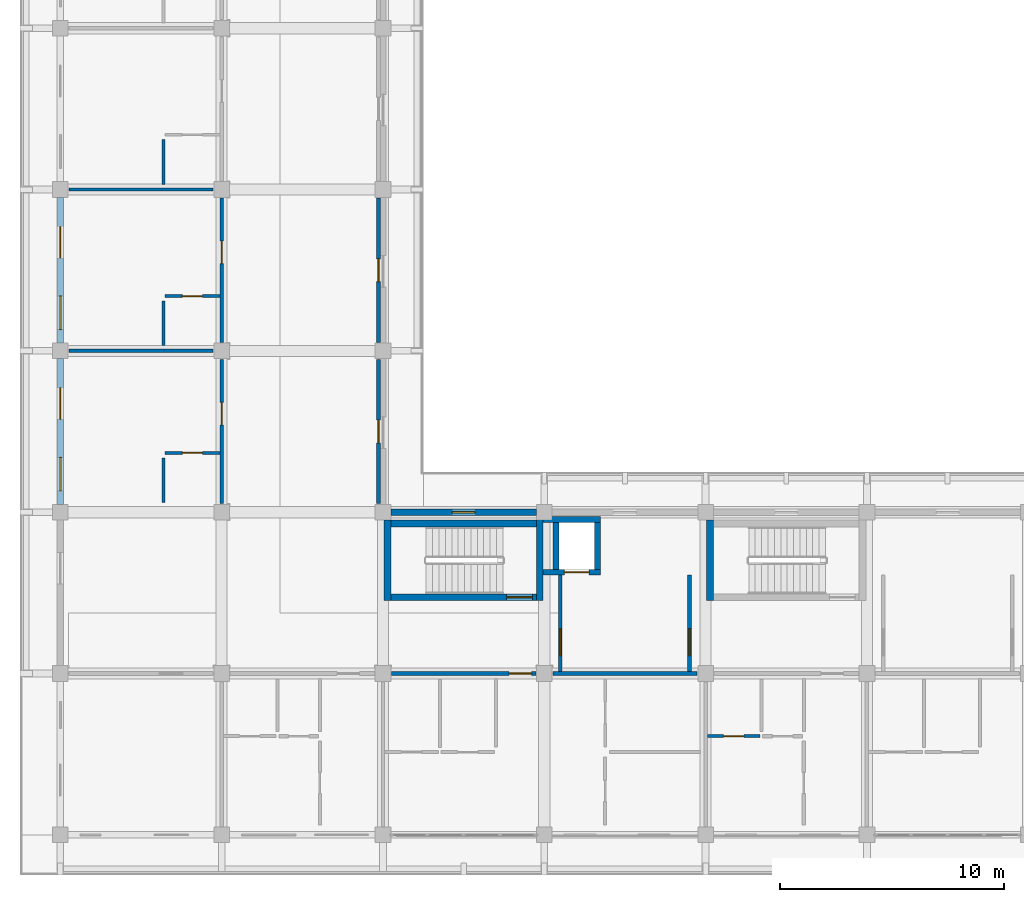
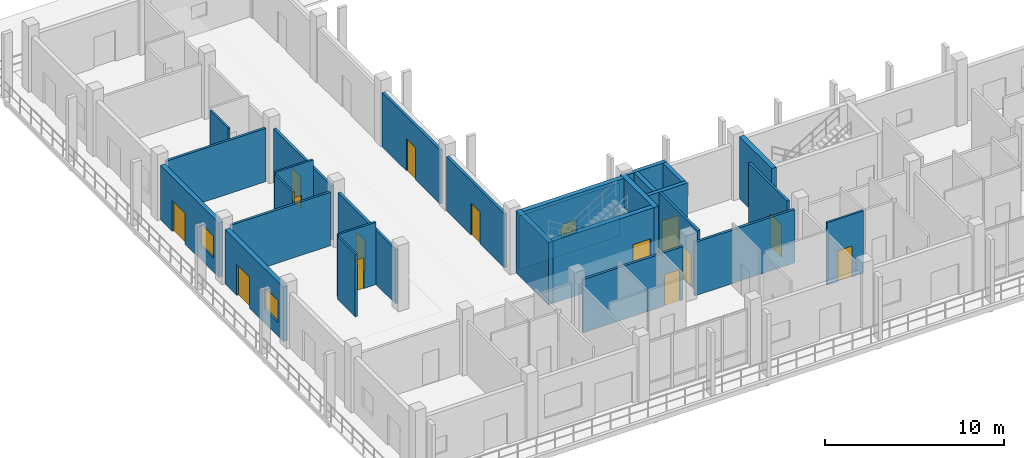
# One storey, part 65 of 110: 28 walls, 14 doors, 3 windows, 17 openings.
"""IFC4 building model written with IfcOpenShell, lengths in metres."""

from ifc_helpers import new_model, si_unit, direction, frame, frame_2d, origin, place, context, subcontext, project, spatial, rectangle, extrude, material, layer, layer_set, type_object, element, fill, save


model = new_model("IFC4")

# Units and contexts
model_context = context("Model", 3, precision=1e-05, world=origin(), true_north=direction((0.0, 1.0)))
body_context = subcontext(model_context, "Body", "Model", "MODEL_VIEW")
ifc_project = project(units=[si_unit("LENGTHUNIT", "METRE"), si_unit("AREAUNIT", "SQUARE_METRE"), si_unit("VOLUMEUNIT", "CUBIC_METRE"), si_unit("PLANEANGLEUNIT", "RADIAN"), si_unit("MASSUNIT", "GRAM", prefix="KILO")], contexts=[model_context])

# Site, building, storey
site_placement = place(None, origin())
site = spatial("IfcSite", under=ifc_project, at=site_placement, CompositionType="ELEMENT")
building_placement = place(site_placement, origin())
building = spatial("IfcBuilding", under=site, at=building_placement, Name="Suanplinth Sawtooth Commons", CompositionType="ELEMENT")
storey_placement = place(building_placement, frame((0.0, 0.0, 4.5)))
storey = spatial("IfcBuildingStorey", under=building, at=storey_placement, Name="L01", CompositionType="ELEMENT", Elevation=4.5)

# Wall, opening, door
ifc_material_1 = material(Name="Concrete C40/50", Category="concrete")
ifc_layer_1 = layer(ifc_material_1, 0.300048828125, Name="Standard RC stair and lift core wall 300mm")
ifc_layer_set_1 = layer_set([ifc_layer_1], Name="Concrete C40/50")
wall_type_1 = type_object("IfcWallType", Name="W-CR02", PredefinedType="SHEAR", material=ifc_layer_set_1)
wall_1_placement = place(storey_placement, frame((14.75, 10.60009765625, 0.0), z_axis=(0.0, 0.0, 1.0), x_axis=(1.0, 0.0, 0.0)))
wall_1 = element("IfcWall", 1, at=wall_1_placement, inside=storey, type_object=wall_type_1, Name="W-L01-C-D1-STS", PredefinedType="SHEAR", context=body_context, shape_type="SweptSolid", body=[
    extrude(rectangle(XDim=6.5, YDim=0.300048828125, at=frame_2d((3.25, 0.0))), origin(), (0.0, 0.0, 1.0), 4.25),
])
opening_1_placement = place(wall_1_placement, frame((5.169921875, 0.0, 0.0)))
opening_1 = element("IfcOpeningElement", 2, at=opening_1_placement, cuts=wall_1, Name="Opening FD0365", PredefinedType="OPENING", context=body_context, shape_type="SweptSolid", body=[
    extrude(rectangle(XDim=1.14990234375, YDim=2.199951171875, at=frame_2d((0.574951171875, 1.10009765625))), frame((0.0, 0.1650390625, 0.0), z_axis=(0.0, -1.0, 0.0), x_axis=(1.0, 0.0, 0.0)), (0.0, 0.0, 1.0), 0.329833984375),
])
ifc_material_2 = material(Name="Teak hardwood fire-rated door assembly", Category="wood")
door_type_1 = type_object("IfcDoorType", Name="FD-01", OperationType="NOTDEFINED", PredefinedType="DOOR", material=ifc_material_2)
door_1_placement = place(opening_1_placement, origin())
door_1 = element("IfcDoor", 3, at=door_1_placement, inside=storey, type_object=door_type_1, Name="Exit Stair Fire Door FD0365", OperationType="SINGLE_SWING_RIGHT", OverallHeight=2.199951171875, OverallWidth=1.14990234375, PredefinedType="DOOR", context=body_context, shape_type="SweptSolid", body=[
    extrude(rectangle(XDim=1.14990234375, YDim=2.199951171875, at=frame_2d((0.574951171875, 1.10009765625))), frame((0.0, 0.02490234375, 0.0), z_axis=(0.0, -1.0, 0.0), x_axis=(1.0, 0.0, 0.0)), (0.0, 0.0, 1.0), 0.050048828125),
])
fill(opening_1, door_1)

# Walls
wall_2_placement = place(storey_placement, frame((14.75, 13.89990234375, 0.0), z_axis=(0.0, 0.0, 1.0), x_axis=(1.0, 0.0, 0.0)))
element("IfcWall", 4, at=wall_2_placement, inside=storey, type_object=wall_type_1, Name="W-L01-C-D1-STN", PredefinedType="SHEAR", context=body_context, shape_type="SweptSolid", body=[
    extrude(rectangle(XDim=6.5, YDim=0.300048828125, at=frame_2d((3.25, 0.0))), origin(), (0.0, 0.0, 1.0), 4.25),
])
wall_3_placement = place(storey_placement, frame((14.60009765625, 10.449951171875, 0.0), z_axis=(0.0, 0.0, 1.0), x_axis=(0.0, 1.0, 0.0)))
element("IfcWall", 5, at=wall_3_placement, inside=storey, type_object=wall_type_1, Name="W-L01-C-D1-STW", PredefinedType="SHEAR", context=body_context, shape_type="SweptSolid", body=[
    extrude(rectangle(XDim=3.60009765625, YDim=0.300048828125, at=frame_2d((1.800048828125, 0.0))), origin(), (0.0, 0.0, 1.0), 4.25),
])
wall_4_placement = place(storey_placement, frame((21.39990234375, 10.449951171875, 0.0), z_axis=(0.0, 0.0, 1.0), x_axis=(0.0, 1.0, 0.0)))
element("IfcWall", 6, at=wall_4_placement, inside=storey, type_object=wall_type_1, Name="W-L01-C-D1-STE", PredefinedType="SHEAR", context=body_context, shape_type="SweptSolid", body=[
    extrude(rectangle(XDim=3.75, YDim=0.300048828125, at=frame_2d((1.875, 0.0))), origin(), (0.0, 0.0, 1.0), 4.25),
])
wall_5_placement = place(storey_placement, frame((29.0, 10.449951171875, 0.0), z_axis=(0.0, 0.0, 1.0), x_axis=(0.0, 1.0, 0.0)))
element("IfcWall", 7, at=wall_5_placement, inside=storey, type_object=wall_type_1, Name="W-L01-C-D2-STW", PredefinedType="SHEAR", context=body_context, shape_type="SweptSolid", body=[
    extrude(rectangle(XDim=3.60009765625, YDim=0.300048828125, at=frame_2d((1.800048828125, 0.0))), origin(), (0.0, 0.0, 1.0), 4.25),
])

# Wall, openings, door, window
ifc_material_3 = material(Name="Precast concrete C40/50", Category="concrete")
ifc_layer_2 = layer(ifc_material_3, 0.280029296875, Name="Insulated precast architectural facade wall 280mm")
ifc_layer_set_2 = layer_set([ifc_layer_2], Name="Precast concrete C40/50")
wall_type_2 = type_object("IfcWallType", Name="W-EX01", PredefinedType="ELEMENTEDWALL", material=ifc_layer_set_2)
wall_6_placement = place(storey_placement, frame((0.0, 14.75, 0.0), z_axis=(0.0, 0.0, 1.0), x_axis=(0.0, 1.0, 0.0)))
wall_6 = element("IfcWall", 8, at=wall_6_placement, inside=storey, type_object=wall_type_2, Name="Facade Wall W-L01-D-W-0-2", PredefinedType="ELEMENTEDWALL", context=body_context, shape_type="SweptSolid", body=[
    extrude(rectangle(XDim=6.5, YDim=0.280029296875, at=frame_2d((3.25, 0.0))), origin(), (0.0, 0.0, 1.0), 3.715087890625),
])
opening_2_placement = place(wall_6_placement, frame((3.800048828125, 0.0, 0.0)))
opening_2 = element("IfcOpeningElement", 9, at=opening_2_placement, cuts=wall_6, Name="Opening ED0112", PredefinedType="OPENING", context=body_context, shape_type="SweptSolid", body=[
    extrude(rectangle(XDim=1.39990234375, YDim=2.10009765625, at=frame_2d((0.699951171875, 1.050048828125))), frame((0.0, 0.15478515625, 0.0), z_axis=(0.0, -1.0, 0.0), x_axis=(1.0, 0.0, 0.0)), (0.0, 0.0, 1.0), 0.309814453125),
])
opening_3_placement = place(wall_6_placement, frame((0.60009765625, 0.0, 0.949951171875)))
opening_3 = element("IfcOpeningElement", 10, at=opening_3_placement, cuts=wall_6, Name="Opening W0232", PredefinedType="OPENING", context=body_context, shape_type="SweptSolid", body=[
    extrude(rectangle(XDim=1.5, YDim=1.5, at=frame_2d((0.75, 0.75))), frame((0.0, 0.15478515625, 0.0), z_axis=(0.0, -1.0, 0.0), x_axis=(1.0, 0.0, 0.0)), (0.0, 0.0, 1.0), 0.309814453125),
])
ifc_material_4 = material(Name="Anodized aluminium and low-E glass", Category="aluminium")
door_type_2 = type_object("IfcDoorType", Name="SD-07", OperationType="SLIDING_TO_RIGHT", PredefinedType="DOOR", material=ifc_material_4)
door_2_placement = place(opening_2_placement, frame((1.39990234375, 0.0, 0.0), z_axis=(0.0, 0.0, 1.0), x_axis=(-1.0, 0.0, 0.0)))
door_2 = element("IfcDoor", 11, at=door_2_placement, inside=storey, type_object=door_type_2, Name="Wing Balcony Sliding Door L01-D-2", OperationType="SLIDING_TO_RIGHT", OverallHeight=2.10009765625, OverallWidth=1.39990234375, PredefinedType="DOOR", context=body_context, shape_type="SweptSolid", body=[
    extrude(rectangle(XDim=1.39990234375, YDim=2.10009765625, at=frame_2d((0.699951171875, 1.050048828125))), frame((0.0, 0.02490234375, 0.0), z_axis=(0.0, -1.0, 0.0), x_axis=(1.0, 0.0, 0.0)), (0.0, 0.0, 1.0), 0.050048828125),
])
fill(opening_2, door_2)
ifc_material_5 = material(Name="Thermally broken aluminium and low-E double glazing", Category="aluminium")
window_type_1 = type_object("IfcWindowType", Name="WN-02", PartitioningType="DOUBLE_PANEL_VERTICAL", PredefinedType="WINDOW", material=ifc_material_5)
window_1_placement = place(opening_3_placement, origin())
window_1 = element("IfcWindow", 12, at=window_1_placement, inside=storey, type_object=window_type_1, Name="Wing Window L01-D-2", OverallHeight=1.5, OverallWidth=1.5, PartitioningType="DOUBLE_PANEL_VERTICAL", PredefinedType="WINDOW", context=body_context, shape_type="SweptSolid", body=[
    extrude(rectangle(XDim=1.5, YDim=1.5, at=frame_2d((0.75, 0.75))), frame((0.0, 0.030029296875, 0.0), z_axis=(0.0, -1.0, 0.0), x_axis=(1.0, 0.0, 0.0)), (0.0, 0.0, 1.0), 0.06005859375),
])
fill(opening_3, window_1)

wall_7_placement = place(storey_placement, frame((0.0, 21.949951171875, 0.0), z_axis=(0.0, 0.0, 1.0), x_axis=(0.0, 1.0, 0.0)))
wall_7 = element("IfcWall", 13, at=wall_7_placement, inside=storey, type_object=wall_type_2, Name="Facade Wall W-L01-D-W-0-3", PredefinedType="ELEMENTEDWALL", context=body_context, shape_type="SweptSolid", body=[
    extrude(rectangle(XDim=6.5, YDim=0.280029296875, at=frame_2d((3.25, 0.0))), origin(), (0.0, 0.0, 1.0), 3.715087890625),
])
opening_4_placement = place(wall_7_placement, frame((3.800048828125, 0.0, 0.0)))
opening_4 = element("IfcOpeningElement", 14, at=opening_4_placement, cuts=wall_7, Name="Opening ED0113", PredefinedType="OPENING", context=body_context, shape_type="SweptSolid", body=[
    extrude(rectangle(XDim=1.39990234375, YDim=2.10009765625, at=frame_2d((0.699951171875, 1.050048828125))), frame((0.0, 0.15478515625, 0.0), z_axis=(0.0, -1.0, 0.0), x_axis=(1.0, 0.0, 0.0)), (0.0, 0.0, 1.0), 0.309814453125),
])
opening_5_placement = place(wall_7_placement, frame((0.60009765625, 0.0, 0.949951171875)))
opening_5 = element("IfcOpeningElement", 15, at=opening_5_placement, cuts=wall_7, Name="Opening W0233", PredefinedType="OPENING", context=body_context, shape_type="SweptSolid", body=[
    extrude(rectangle(XDim=1.5, YDim=1.5, at=frame_2d((0.75, 0.75))), frame((0.0, 0.15478515625, 0.0), z_axis=(0.0, -1.0, 0.0), x_axis=(1.0, 0.0, 0.0)), (0.0, 0.0, 1.0), 0.309814453125),
])
door_3_placement = place(opening_4_placement, frame((1.39990234375, 0.0, 0.0), z_axis=(0.0, 0.0, 1.0), x_axis=(-1.0, 0.0, 0.0)))
door_3 = element("IfcDoor", 16, at=door_3_placement, inside=storey, type_object=door_type_2, Name="Wing Balcony Sliding Door L01-D-3", OperationType="SLIDING_TO_RIGHT", OverallHeight=2.10009765625, OverallWidth=1.39990234375, PredefinedType="DOOR", context=body_context, shape_type="SweptSolid", body=[
    extrude(rectangle(XDim=1.39990234375, YDim=2.10009765625, at=frame_2d((0.699951171875, 1.050048828125))), frame((0.0, 0.02490234375, 0.0), z_axis=(0.0, -1.0, 0.0), x_axis=(1.0, 0.0, 0.0)), (0.0, 0.0, 1.0), 0.050048828125),
])
fill(opening_4, door_3)
window_2_placement = place(opening_5_placement, origin())
window_2 = element("IfcWindow", 17, at=window_2_placement, inside=storey, type_object=window_type_1, Name="Wing Window L01-D-3", OverallHeight=1.5, OverallWidth=1.5, PartitioningType="DOUBLE_PANEL_VERTICAL", PredefinedType="WINDOW", context=body_context, shape_type="SweptSolid", body=[
    extrude(rectangle(XDim=1.5, YDim=1.5, at=frame_2d((0.75, 0.75))), frame((0.0, 0.030029296875, 0.0), z_axis=(0.0, -1.0, 0.0), x_axis=(1.0, 0.0, 0.0)), (0.0, 0.0, 1.0), 0.06005859375),
])
fill(opening_5, window_2)

# Wall, opening, window
wall_8_placement = place(storey_placement, frame((14.75, 14.39990234375, 0.0), z_axis=(0.0, 0.0, 1.0), x_axis=(1.0, 0.0, 0.0)))
wall_8 = element("IfcWall", 18, at=wall_8_placement, inside=storey, type_object=wall_type_2, Name="Facade Wall W-L01-D-N-2-1", PredefinedType="ELEMENTEDWALL", context=body_context, shape_type="SweptSolid", body=[
    extrude(rectangle(XDim=6.5, YDim=0.280029296875, at=frame_2d((3.25, 0.0))), origin(), (0.0, 0.0, 1.0), 3.635009765625),
])
opening_6_placement = place(wall_8_placement, frame((2.75, 0.0, 1.199951171875)))
opening_6 = element("IfcOpeningElement", 19, at=opening_6_placement, cuts=wall_8, Name="Opening W0238", PredefinedType="OPENING", context=body_context, shape_type="SweptSolid", body=[
    extrude(rectangle(XDim=1.0, YDim=0.89990234375, at=frame_2d((0.5, 0.449951171875))), frame((0.0, 0.15478515625, 0.0), z_axis=(0.0, -1.0, 0.0), x_axis=(1.0, 0.0, 0.0)), (0.0, 0.0, 1.0), 0.309814453125),
])
window_type_2 = type_object("IfcWindowType", Name="WN-12", PartitioningType="SINGLE_PANEL", PredefinedType="WINDOW", material=ifc_material_5)
window_3_placement = place(opening_6_placement, origin())
window_3 = element("IfcWindow", 20, at=window_3_placement, inside=storey, type_object=window_type_2, Name="Core Daylight Window L01-D-2-1", OverallHeight=0.89990234375, OverallWidth=1.0, PartitioningType="SINGLE_PANEL", PredefinedType="WINDOW", context=body_context, shape_type="SweptSolid", body=[
    extrude(rectangle(XDim=1.0, YDim=0.89990234375, at=frame_2d((0.5, 0.449951171875))), frame((0.0, 0.030029296875, 0.0), z_axis=(0.0, -1.0, 0.0), x_axis=(1.0, 0.0, 0.0)), (0.0, 0.0, 1.0), 0.06005859375),
])
fill(opening_6, window_3)

# Wall, opening, door
ifc_layer_3 = layer(ifc_material_3, 0.159912109375, Name="Fire-rated corridor and lobby wall 160mm")
ifc_layer_set_3 = layer_set([ifc_layer_3], Name="Precast concrete C40/50")
wall_type_3 = type_object("IfcWallType", Name="W-FW01", PredefinedType="PARTITIONING", material=ifc_layer_set_3)
wall_9_placement = place(storey_placement, frame((22.320068359375, 7.280029296875, 0.0), z_axis=(0.0, 0.0, 1.0), x_axis=(0.0, 1.0, 0.0)))
wall_9 = element("IfcWall", 21, at=wall_9_placement, inside=storey, type_object=wall_type_3, Name="W-L01-C-D1-LOB-W", PredefinedType="PARTITIONING", context=body_context, shape_type="SweptSolid", body=[
    extrude(rectangle(XDim=4.320068359375, YDim=0.159912109375, at=frame_2d((2.16015625, 0.0))), origin(), (0.0, 0.0, 1.0), 4.25),
])
opening_7_placement = place(wall_9_placement, frame((0.719970703125, 0.0, 0.0)))
opening_7 = element("IfcOpeningElement", 22, at=opening_7_placement, cuts=wall_9, Name="Opening FD0366", PredefinedType="OPENING", context=body_context, shape_type="SweptSolid", body=[
    extrude(rectangle(XDim=1.199951171875, YDim=2.199951171875, at=frame_2d((0.60009765625, 1.10009765625))), frame((0.0, 0.0947265625, 0.0), z_axis=(0.0, -1.0, 0.0), x_axis=(1.0, 0.0, 0.0)), (0.0, 0.0, 1.0), 0.189697265625),
])
door_type_3 = type_object("IfcDoorType", Name="FD-02", OperationType="NOTDEFINED", PredefinedType="DOOR", material=ifc_material_2)
door_4_placement = place(opening_7_placement, origin())
door_4 = element("IfcDoor", 23, at=door_4_placement, inside=storey, type_object=door_type_3, Name="Lobby Fire Door FD0366", OperationType="SINGLE_SWING_LEFT", OverallHeight=2.199951171875, OverallWidth=1.199951171875, PredefinedType="DOOR", context=body_context, shape_type="SweptSolid", body=[
    extrude(rectangle(XDim=1.199951171875, YDim=2.199951171875, at=frame_2d((0.60009765625, 1.10009765625))), frame((0.0, 0.02490234375, 0.0), z_axis=(0.0, -1.0, 0.0), x_axis=(1.0, 0.0, 0.0)), (0.0, 0.0, 1.0), 0.050048828125),
])
fill(opening_7, door_4)

wall_10_placement = place(storey_placement, frame((28.080078125, 7.280029296875, 0.0), z_axis=(0.0, 0.0, 1.0), x_axis=(0.0, 1.0, 0.0)))
wall_10 = element("IfcWall", 24, at=wall_10_placement, inside=storey, type_object=wall_type_3, Name="W-L01-C-D1-LOB-E", PredefinedType="PARTITIONING", context=body_context, shape_type="SweptSolid", body=[
    extrude(rectangle(XDim=4.320068359375, YDim=0.159912109375, at=frame_2d((2.16015625, 0.0))), origin(), (0.0, 0.0, 1.0), 4.25),
])
opening_8_placement = place(wall_10_placement, frame((0.719970703125, 0.0, 0.0)))
opening_8 = element("IfcOpeningElement", 25, at=opening_8_placement, cuts=wall_10, Name="Opening FD0367", PredefinedType="OPENING", context=body_context, shape_type="SweptSolid", body=[
    extrude(rectangle(XDim=1.199951171875, YDim=2.199951171875, at=frame_2d((0.60009765625, 1.10009765625))), frame((0.0, 0.0947265625, 0.0), z_axis=(0.0, -1.0, 0.0), x_axis=(1.0, 0.0, 0.0)), (0.0, 0.0, 1.0), 0.189697265625),
])
door_5_placement = place(opening_8_placement, frame((1.199951171875, 0.0, 0.0), z_axis=(0.0, 0.0, 1.0), x_axis=(-1.0, 0.0, 0.0)))
door_5 = element("IfcDoor", 26, at=door_5_placement, inside=storey, type_object=door_type_3, Name="Lobby Fire Door FD0367", OperationType="SINGLE_SWING_RIGHT", OverallHeight=2.199951171875, OverallWidth=1.199951171875, PredefinedType="DOOR", context=body_context, shape_type="SweptSolid", body=[
    extrude(rectangle(XDim=1.199951171875, YDim=2.199951171875, at=frame_2d((0.60009765625, 1.10009765625))), frame((0.0, 0.02490234375, 0.0), z_axis=(0.0, -1.0, 0.0), x_axis=(1.0, 0.0, 0.0)), (0.0, 0.0, 1.0), 0.050048828125),
])
fill(opening_8, door_5)

wall_11_placement = place(storey_placement, frame((14.780029296875, 7.199951171875, 0.0), z_axis=(0.0, 0.0, 1.0), x_axis=(1.0, 0.0, 0.0)))
wall_11 = element("IfcWall", 27, at=wall_11_placement, inside=storey, type_object=wall_type_3, Name="W-D-L01-U03-COR-S1", PredefinedType="PARTITIONING", context=body_context, shape_type="SweptSolid", body=[
    extrude(rectangle(XDim=6.43994140625, YDim=0.159912109375, at=frame_2d((3.219970703125, 0.0))), origin(), (0.0, 0.0, 1.0), 3.635009765625),
])
opening_9_placement = place(wall_11_placement, frame((5.25, 0.0, 0.0)))
opening_9 = element("IfcOpeningElement", 28, at=opening_9_placement, cuts=wall_11, Name="Opening FD0656", PredefinedType="OPENING", context=body_context, shape_type="SweptSolid", body=[
    extrude(rectangle(XDim=1.0, YDim=2.14990234375, at=frame_2d((0.5, 1.074951171875))), frame((0.0, 0.0947265625, 0.0), z_axis=(0.0, -1.0, 0.0), x_axis=(1.0, 0.0, 0.0)), (0.0, 0.0, 1.0), 0.189697265625),
])
door_type_4 = type_object("IfcDoorType", Name="FD-03", OperationType="NOTDEFINED", PredefinedType="DOOR", material=ifc_material_2)
door_6_placement = place(opening_9_placement, frame((1.0, 0.0, 0.0), z_axis=(0.0, 0.0, 1.0), x_axis=(-1.0, 0.0, 0.0)))
door_6 = element("IfcDoor", 29, at=door_6_placement, inside=storey, type_object=door_type_4, Name="Unit Entrance Door FD0656", OperationType="SINGLE_SWING_RIGHT", OverallHeight=2.14990234375, OverallWidth=1.0, PredefinedType="DOOR", context=body_context, shape_type="SweptSolid", body=[
    extrude(rectangle(XDim=1.0, YDim=2.14990234375, at=frame_2d((0.5, 1.074951171875))), frame((0.0, 0.02490234375, 0.0), z_axis=(0.0, -1.0, 0.0), x_axis=(1.0, 0.0, 0.0)), (0.0, 0.0, 1.0), 0.050048828125),
])
fill(opening_9, door_6)

# Wall
wall_12_placement = place(storey_placement, frame((21.97998046875, 7.199951171875, 0.0), z_axis=(0.0, 0.0, 1.0), x_axis=(1.0, 0.0, 0.0)))
element("IfcWall", 30, at=wall_12_placement, inside=storey, type_object=wall_type_3, Name="W-D-L01-U03-COR-S2", PredefinedType="PARTITIONING", context=body_context, shape_type="SweptSolid", body=[
    extrude(rectangle(XDim=6.43994140625, YDim=0.159912109375, at=frame_2d((3.219970703125, 0.0))), origin(), (0.0, 0.0, 1.0), 3.635009765625),
])

# Wall, opening, door
wall_13_placement = place(storey_placement, frame((7.199951171875, 14.780029296875, 0.0), z_axis=(0.0, 0.0, 1.0), x_axis=(0.0, 1.0, 0.0)))
wall_13 = element("IfcWall", 31, at=wall_13_placement, inside=storey, type_object=wall_type_3, Name="W-D-L01-L01-COR", PredefinedType="PARTITIONING", context=body_context, shape_type="SweptSolid", body=[
    extrude(rectangle(XDim=6.43994140625, YDim=0.159912109375, at=frame_2d((3.219970703125, 0.0))), origin(), (0.0, 0.0, 1.0), 3.68505859375),
])
opening_10_placement = place(wall_13_placement, frame((3.52001953125, 0.0, 0.0)))
opening_10 = element("IfcOpeningElement", 32, at=opening_10_placement, cuts=wall_13, Name="Opening FD0676", PredefinedType="OPENING", context=body_context, shape_type="SweptSolid", body=[
    extrude(rectangle(XDim=1.0, YDim=2.14990234375, at=frame_2d((0.5, 1.074951171875))), frame((0.0, 0.0947265625, 0.0), z_axis=(0.0, -1.0, 0.0), x_axis=(1.0, 0.0, 0.0)), (0.0, 0.0, 1.0), 0.189697265625),
])
door_7_placement = place(opening_10_placement, origin())
door_7 = element("IfcDoor", 33, at=door_7_placement, inside=storey, type_object=door_type_4, Name="Wing Unit Entrance Door FD0676", OperationType="SINGLE_SWING_RIGHT", OverallHeight=2.14990234375, OverallWidth=1.0, PredefinedType="DOOR", context=body_context, shape_type="SweptSolid", body=[
    extrude(rectangle(XDim=1.0, YDim=2.14990234375, at=frame_2d((0.5, 1.074951171875))), frame((0.0, 0.02490234375, 0.0), z_axis=(0.0, -1.0, 0.0), x_axis=(1.0, 0.0, 0.0)), (0.0, 0.0, 1.0), 0.050048828125),
])
fill(opening_10, door_7)

wall_14_placement = place(storey_placement, frame((14.199951171875, 14.780029296875, 0.0), z_axis=(0.0, 0.0, 1.0), x_axis=(0.0, 1.0, 0.0)))
wall_14 = element("IfcWall", 34, at=wall_14_placement, inside=storey, type_object=wall_type_3, Name="W-D-L01-LEGCOURTROOM-68-COR", PredefinedType="PARTITIONING", context=body_context, shape_type="SweptSolid", body=[
    extrude(rectangle(XDim=6.43994140625, YDim=0.159912109375, at=frame_2d((3.219970703125, 0.0))), origin(), (0.0, 0.0, 1.0), 3.68505859375),
])
opening_11_placement = place(wall_14_placement, frame((2.7099609375, 0.0, 0.0)))
opening_11 = element("IfcOpeningElement", 35, at=opening_11_placement, cuts=wall_14, Name="Opening D0678", PredefinedType="OPENING", context=body_context, shape_type="SweptSolid", body=[
    extrude(rectangle(XDim=1.02001953125, YDim=2.179931640625, at=frame_2d((0.510009765625, 1.08984375))), frame((0.0, 0.0947265625, 0.0), z_axis=(0.0, -1.0, 0.0), x_axis=(1.0, 0.0, 0.0)), (0.0, 0.0, 1.0), 0.189697265625),
])
ifc_material_6 = material(Name="Teak hardwood", Category="wood")
door_type_5 = type_object("IfcDoorType", Name="D-16", OperationType="NOTDEFINED", PredefinedType="DOOR", material=ifc_material_6)
door_8_placement = place(opening_11_placement, frame((1.02001953125, 0.0, 0.0), z_axis=(0.0, 0.0, 1.0), x_axis=(-1.0, 0.0, 0.0)))
door_8 = element("IfcDoor", 36, at=door_8_placement, inside=storey, type_object=door_type_5, Name="Veranda Studio Door D0678", OperationType="SINGLE_SWING_RIGHT", OverallHeight=2.179931640625, OverallWidth=1.02001953125, PredefinedType="DOOR", context=body_context, shape_type="SweptSolid", body=[
    extrude(rectangle(XDim=1.02001953125, YDim=2.179931640625, at=frame_2d((0.510009765625, 1.08984375))), frame((0.0, 0.02490234375, 0.0), z_axis=(0.0, -1.0, 0.0), x_axis=(1.0, 0.0, 0.0)), (0.0, 0.0, 1.0), 0.050048828125),
])
fill(opening_11, door_8)

wall_15_placement = place(storey_placement, frame((7.199951171875, 21.97998046875, 0.0), z_axis=(0.0, 0.0, 1.0), x_axis=(0.0, 1.0, 0.0)))
wall_15 = element("IfcWall", 37, at=wall_15_placement, inside=storey, type_object=wall_type_3, Name="W-D-L01-L02-COR", PredefinedType="PARTITIONING", context=body_context, shape_type="SweptSolid", body=[
    extrude(rectangle(XDim=6.43994140625, YDim=0.159912109375, at=frame_2d((3.219970703125, 0.0))), origin(), (0.0, 0.0, 1.0), 3.68505859375),
])
opening_12_placement = place(wall_15_placement, frame((3.52001953125, 0.0, 0.0)))
opening_12 = element("IfcOpeningElement", 38, at=opening_12_placement, cuts=wall_15, Name="Opening FD0679", PredefinedType="OPENING", context=body_context, shape_type="SweptSolid", body=[
    extrude(rectangle(XDim=1.0, YDim=2.14990234375, at=frame_2d((0.5, 1.074951171875))), frame((0.0, 0.0947265625, 0.0), z_axis=(0.0, -1.0, 0.0), x_axis=(1.0, 0.0, 0.0)), (0.0, 0.0, 1.0), 0.189697265625),
])
door_9_placement = place(opening_12_placement, origin())
door_9 = element("IfcDoor", 39, at=door_9_placement, inside=storey, type_object=door_type_4, Name="Wing Unit Entrance Door FD0679", OperationType="SINGLE_SWING_LEFT", OverallHeight=2.14990234375, OverallWidth=1.0, PredefinedType="DOOR", context=body_context, shape_type="SweptSolid", body=[
    extrude(rectangle(XDim=1.0, YDim=2.14990234375, at=frame_2d((0.5, 1.074951171875))), frame((0.0, 0.02490234375, 0.0), z_axis=(0.0, -1.0, 0.0), x_axis=(1.0, 0.0, 0.0)), (0.0, 0.0, 1.0), 0.050048828125),
])
fill(opening_12, door_9)

wall_16_placement = place(storey_placement, frame((14.199951171875, 21.97998046875, 0.0), z_axis=(0.0, 0.0, 1.0), x_axis=(0.0, 1.0, 0.0)))
wall_16 = element("IfcWall", 40, at=wall_16_placement, inside=storey, type_object=wall_type_3, Name="W-D-L01-LEGCOURTROOM-70-COR", PredefinedType="PARTITIONING", context=body_context, shape_type="SweptSolid", body=[
    extrude(rectangle(XDim=6.43994140625, YDim=0.159912109375, at=frame_2d((3.219970703125, 0.0))), origin(), (0.0, 0.0, 1.0), 3.68505859375),
])
opening_13_placement = place(wall_16_placement, frame((2.7099609375, 0.0, 0.0)))
opening_13 = element("IfcOpeningElement", 41, at=opening_13_placement, cuts=wall_16, Name="Opening D0681", PredefinedType="OPENING", context=body_context, shape_type="SweptSolid", body=[
    extrude(rectangle(XDim=1.02001953125, YDim=2.179931640625, at=frame_2d((0.510009765625, 1.08984375))), frame((0.0, 0.0947265625, 0.0), z_axis=(0.0, -1.0, 0.0), x_axis=(1.0, 0.0, 0.0)), (0.0, 0.0, 1.0), 0.189697265625),
])
door_10_placement = place(opening_13_placement, frame((1.02001953125, 0.0, 0.0), z_axis=(0.0, 0.0, 1.0), x_axis=(-1.0, 0.0, 0.0)))
door_10 = element("IfcDoor", 42, at=door_10_placement, inside=storey, type_object=door_type_5, Name="Veranda Studio Door D0681", OperationType="SINGLE_SWING_LEFT", OverallHeight=2.179931640625, OverallWidth=1.02001953125, PredefinedType="DOOR", context=body_context, shape_type="SweptSolid", body=[
    extrude(rectangle(XDim=1.02001953125, YDim=2.179931640625, at=frame_2d((0.510009765625, 1.08984375))), frame((0.0, 0.02490234375, 0.0), z_axis=(0.0, -1.0, 0.0), x_axis=(1.0, 0.0, 0.0)), (0.0, 0.0, 1.0), 0.050048828125),
])
fill(opening_13, door_10)

# Walls
ifc_layer_4 = layer(ifc_material_3, 0.14990234375, Name="Acoustic precast party demising wall 150mm")
ifc_layer_set_4 = layer_set([ifc_layer_4], Name="Precast concrete C40/50")
wall_type_4 = type_object("IfcWallType", Name="W-FW02", PredefinedType="PARTITIONING", material=ifc_layer_set_4)
for number, where, z_axis, x_axis, name in (
    (43, (0.3798828125, 21.60009765625, 0.0), (0.0, 0.0, 1.0), (1.0, 0.0, 0.0), "W-D-L01-L01-PTY"),
    (44, (0.3798828125, 28.800048828125, 0.0), (0.0, 0.0, 1.0), (1.0, 0.0, 0.0), "W-D-L01-L02-PTY"),
):
    element("IfcWall", number, at=place(storey_placement, frame(where, z_axis=z_axis, x_axis=x_axis)), inside=storey, type_object=wall_type_4, Name=name, PredefinedType="PARTITIONING", context=body_context, shape_type="SweptSolid", body=[
        extrude(rectangle(XDim=6.440185546875, YDim=0.14990234375, at=frame_2d((3.22021484375, 0.0))), origin(), (0.0, 0.0, 1.0), 3.635009765625),
    ])

# Wall, opening, door
ifc_material_7 = material(Name="Gypsum plasterboard on steel stud", Category="steel")
ifc_layer_5 = layer(ifc_material_7, 0.1298828125, Name="Moisture-resistant bathroom partition 130mm")
ifc_layer_set_5 = layer_set([ifc_layer_5], Name="Gypsum plasterboard on steel stud")
wall_type_5 = type_object("IfcWallType", Name="W-PT02", PredefinedType="PARTITIONING", material=ifc_layer_set_5)
wall_17_placement = place(storey_placement, frame((28.8798828125, 4.405029296875, 0.0), z_axis=(0.0, 0.0, 1.0), x_axis=(1.0, 0.0, 0.0)))
wall_17 = element("IfcWall", 45, at=wall_17_placement, inside=storey, type_object=wall_type_5, Name="W-D-L01-U04-BTH1", PredefinedType="PARTITIONING", context=body_context, shape_type="SweptSolid", body=[
    extrude(rectangle(XDim=2.35009765625, YDim=0.1298828125, at=frame_2d((1.175048828125, 0.0))), origin(), (0.0, 0.0, 1.0), 4.25),
])
opening_14_placement = place(wall_17_placement, frame((0.72509765625, 0.0, 0.0)))
opening_14 = element("IfcOpeningElement", 46, at=opening_14_placement, cuts=wall_17, Name="Opening D0662", PredefinedType="OPENING", context=body_context, shape_type="SweptSolid", body=[
    extrude(rectangle(XDim=0.89990234375, YDim=2.10009765625, at=frame_2d((0.449951171875, 1.050048828125))), frame((0.0, 0.079833984375, 0.0), z_axis=(0.0, -1.0, 0.0), x_axis=(1.0, 0.0, 0.0)), (0.0, 0.0, 1.0), 0.15966796875),
])
door_type_6 = type_object("IfcDoorType", Name="D-01", OperationType="NOTDEFINED", PredefinedType="DOOR", material=ifc_material_6)
door_11_placement = place(opening_14_placement, origin())
door_11 = element("IfcDoor", 47, at=door_11_placement, inside=storey, type_object=door_type_6, Name="Bathroom Door D0662", OperationType="SINGLE_SWING_RIGHT", OverallHeight=2.10009765625, OverallWidth=0.89990234375, PredefinedType="DOOR", context=body_context, shape_type="SweptSolid", body=[
    extrude(rectangle(XDim=0.89990234375, YDim=2.10009765625, at=frame_2d((0.449951171875, 1.050048828125))), frame((0.0, 0.02490234375, 0.0), z_axis=(0.0, -1.0, 0.0), x_axis=(1.0, 0.0, 0.0)), (0.0, 0.0, 1.0), 0.050048828125),
])
fill(opening_14, door_11)

wall_18_placement = place(storey_placement, frame((4.669921875, 17.044921875, 0.0), z_axis=(0.0, 0.0, 1.0), x_axis=(1.0, 0.0, 0.0)))
wall_18 = element("IfcWall", 48, at=wall_18_placement, inside=storey, type_object=wall_type_5, Name="W-D-L01-L01-BTH1", PredefinedType="PARTITIONING", context=body_context, shape_type="SweptSolid", body=[
    extrude(rectangle(XDim=2.4501953125, YDim=0.1298828125, at=frame_2d((1.22509765625, 0.0))), origin(), (0.0, 0.0, 1.0), 4.25),
])
opening_15_placement = place(wall_18_placement, frame((0.77490234375, 0.0, 0.0)))
opening_15 = element("IfcOpeningElement", 49, at=opening_15_placement, cuts=wall_18, Name="Opening D0677", PredefinedType="OPENING", context=body_context, shape_type="SweptSolid", body=[
    extrude(rectangle(XDim=0.89990234375, YDim=2.10009765625, at=frame_2d((0.449951171875, 1.050048828125))), frame((0.0, 0.079833984375, 0.0), z_axis=(0.0, -1.0, 0.0), x_axis=(1.0, 0.0, 0.0)), (0.0, 0.0, 1.0), 0.15966796875),
])
door_12_placement = place(opening_15_placement, frame((0.89990234375, 0.0, 0.0), z_axis=(0.0, 0.0, 1.0), x_axis=(-1.0, 0.0, 0.0)))
door_12 = element("IfcDoor", 50, at=door_12_placement, inside=storey, type_object=door_type_6, Name="Bathroom Door D0677", OperationType="SINGLE_SWING_LEFT", OverallHeight=2.10009765625, OverallWidth=0.89990234375, PredefinedType="DOOR", context=body_context, shape_type="SweptSolid", body=[
    extrude(rectangle(XDim=0.89990234375, YDim=2.10009765625, at=frame_2d((0.449951171875, 1.050048828125))), frame((0.0, 0.02490234375, 0.0), z_axis=(0.0, -1.0, 0.0), x_axis=(1.0, 0.0, 0.0)), (0.0, 0.0, 1.0), 0.050048828125),
])
fill(opening_15, door_12)

# Wall
wall_19_placement = place(storey_placement, frame((4.60498046875, 14.830078125, 0.0), z_axis=(0.0, 0.0, 1.0), x_axis=(0.0, 1.0, 0.0)))
element("IfcWall", 51, at=wall_19_placement, inside=storey, type_object=wall_type_5, Name="W-D-L01-L01-BTH2", PredefinedType="PARTITIONING", context=body_context, shape_type="SweptSolid", body=[
    extrude(rectangle(XDim=2.0, YDim=0.1298828125, at=frame_2d((1.0, 0.0))), origin(), (0.0, 0.0, 1.0), 4.25),
])

# Wall, opening, door
wall_20_placement = place(storey_placement, frame((4.669921875, 24.044921875, 0.0), z_axis=(0.0, 0.0, 1.0), x_axis=(1.0, 0.0, 0.0)))
wall_20 = element("IfcWall", 52, at=wall_20_placement, inside=storey, type_object=wall_type_5, Name="W-D-L01-L02-BTH1", PredefinedType="PARTITIONING", context=body_context, shape_type="SweptSolid", body=[
    extrude(rectangle(XDim=2.4501953125, YDim=0.1298828125, at=frame_2d((1.22509765625, 0.0))), origin(), (0.0, 0.0, 1.0), 4.25),
])
opening_16_placement = place(wall_20_placement, frame((0.77490234375, 0.0, 0.0)))
opening_16 = element("IfcOpeningElement", 53, at=opening_16_placement, cuts=wall_20, Name="Opening D0680", PredefinedType="OPENING", context=body_context, shape_type="SweptSolid", body=[
    extrude(rectangle(XDim=0.89990234375, YDim=2.10009765625, at=frame_2d((0.449951171875, 1.050048828125))), frame((0.0, 0.079833984375, 0.0), z_axis=(0.0, -1.0, 0.0), x_axis=(1.0, 0.0, 0.0)), (0.0, 0.0, 1.0), 0.15966796875),
])
door_13_placement = place(opening_16_placement, frame((0.89990234375, 0.0, 0.0), z_axis=(0.0, 0.0, 1.0), x_axis=(-1.0, 0.0, 0.0)))
door_13 = element("IfcDoor", 54, at=door_13_placement, inside=storey, type_object=door_type_6, Name="Bathroom Door D0680", OperationType="SINGLE_SWING_RIGHT", OverallHeight=2.10009765625, OverallWidth=0.89990234375, PredefinedType="DOOR", context=body_context, shape_type="SweptSolid", body=[
    extrude(rectangle(XDim=0.89990234375, YDim=2.10009765625, at=frame_2d((0.449951171875, 1.050048828125))), frame((0.0, 0.02490234375, 0.0), z_axis=(0.0, -1.0, 0.0), x_axis=(1.0, 0.0, 0.0)), (0.0, 0.0, 1.0), 0.050048828125),
])
fill(opening_16, door_13)

# Walls
for number, where, z_axis, x_axis, name in (
    (55, (4.60498046875, 21.830078125, 0.0), (0.0, 0.0, 1.0), (0.0, 1.0, 0.0), "W-D-L01-L02-BTH2"),
    (56, (4.60498046875, 29.030029296875, 0.0), (0.0, 0.0, 1.0), (0.0, 1.0, 0.0), "W-D-L01-L03-BTH2"),
):
    element("IfcWall", number, at=place(storey_placement, frame(where, z_axis=z_axis, x_axis=x_axis)), inside=storey, type_object=wall_type_5, Name=name, PredefinedType="PARTITIONING", context=body_context, shape_type="SweptSolid", body=[
        extrude(rectangle(XDim=2.0, YDim=0.1298828125, at=frame_2d((1.0, 0.0))), origin(), (0.0, 0.0, 1.0), 4.25),
    ])

# Wall, opening, door
ifc_layer_6 = layer(ifc_material_3, 0.25, Name="Precast structural shear wall 250mm")
ifc_layer_set_6 = layer_set([ifc_layer_6], Name="Precast concrete C40/50")
wall_type_6 = type_object("IfcWallType", Name="W-SH01", PredefinedType="SHEAR", material=ifc_layer_set_6)
wall_21_placement = place(storey_placement, frame((21.550048828125, 11.72509765625, 0.0), z_axis=(0.0, 0.0, 1.0), x_axis=(1.0, 0.0, 0.0)))
wall_21 = element("IfcWall", 57, at=wall_21_placement, inside=storey, type_object=wall_type_6, Name="W-L01-LF6-S", PredefinedType="SHEAR", context=body_context, shape_type="SweptSolid", body=[
    extrude(rectangle(XDim=2.550048828125, YDim=0.25, at=frame_2d((1.27490234375, 0.0))), origin(), (0.0, 0.0, 1.0), 4.25),
])
opening_17_placement = place(wall_21_placement, frame((0.949951171875, 0.0, 0.0)))
opening_17 = element("IfcOpeningElement", 58, at=opening_17_placement, cuts=wall_21, Name="Opening LD0368", PredefinedType="OPENING", context=body_context, shape_type="SweptSolid", body=[
    extrude(rectangle(XDim=1.10009765625, YDim=2.14990234375, at=frame_2d((0.550048828125, 1.074951171875))), frame((0.0, 0.139892578125, 0.0), z_axis=(0.0, -1.0, 0.0), x_axis=(1.0, 0.0, 0.0)), (0.0, 0.0, 1.0), 0.27978515625),
])
ifc_material_8 = material(Name="Stainless steel Grade 304", Category="steel")
door_type_7 = type_object("IfcDoorType", Name="LD-01", OperationType="SLIDING_TO_LEFT", PredefinedType="DOOR", material=ifc_material_8)
door_14_placement = place(opening_17_placement, frame((1.10009765625, 0.0, 0.0), z_axis=(0.0, 0.0, 1.0), x_axis=(-1.0, 0.0, 0.0)))
door_14 = element("IfcDoor", 59, at=door_14_placement, inside=storey, type_object=door_type_7, Name="Lift Landing Sliding Door LF6 L01", OperationType="SLIDING_TO_LEFT", OverallHeight=2.14990234375, OverallWidth=1.10009765625, PredefinedType="DOOR", context=body_context, shape_type="SweptSolid", body=[
    extrude(rectangle(XDim=1.10009765625, YDim=2.14990234375, at=frame_2d((0.550048828125, 1.074951171875))), frame((0.0, 0.02490234375, 0.0), z_axis=(0.0, -1.0, 0.0), x_axis=(1.0, 0.0, 0.0)), (0.0, 0.0, 1.0), 0.050048828125),
])
fill(opening_17, door_14)

# Walls
wall_22_placement = place(storey_placement, frame((21.550048828125, 14.074951171875, 0.0), z_axis=(0.0, 0.0, 1.0), x_axis=(1.0, 0.0, 0.0)))
element("IfcWall", 60, at=wall_22_placement, inside=storey, type_object=wall_type_6, Name="W-L01-LF6-N", PredefinedType="SHEAR", context=body_context, shape_type="SweptSolid", body=[
    extrude(rectangle(XDim=2.550048828125, YDim=0.25, at=frame_2d((1.27490234375, 0.0))), origin(), (0.0, 0.0, 1.0), 4.25),
])
for number, where, z_axis, x_axis, name in (
    (61, (22.125, 11.85009765625, 0.0), (0.0, 0.0, 1.0), (0.0, 1.0, 0.0), "W-L01-LF6-W"),
    (62, (23.97509765625, 11.85009765625, 0.0), (0.0, 0.0, 1.0), (0.0, 1.0, 0.0), "W-L01-LF6-E"),
):
    element("IfcWall", number, at=place(storey_placement, frame(where, z_axis=z_axis, x_axis=x_axis)), inside=storey, type_object=wall_type_6, Name=name, PredefinedType="SHEAR", context=body_context, shape_type="SweptSolid", body=[
        extrude(rectangle(XDim=2.099853515625, YDim=0.25, at=frame_2d((1.0498046875, 0.0))), origin(), (0.0, 0.0, 1.0), 4.25),
    ])

save(model, "model.ifc")
